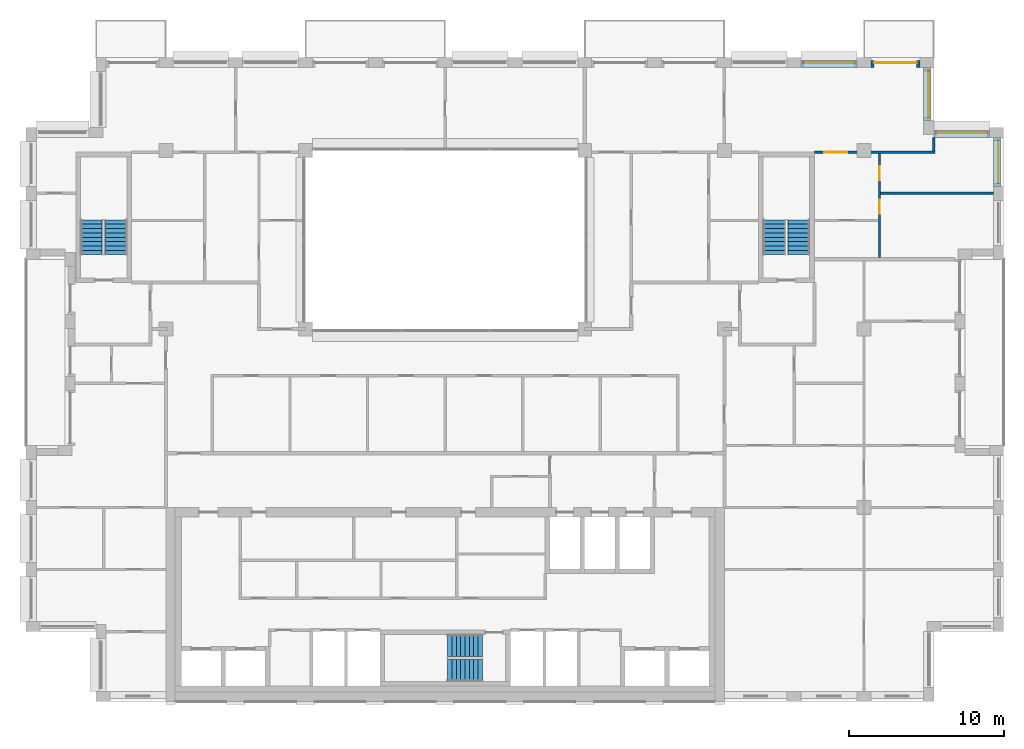
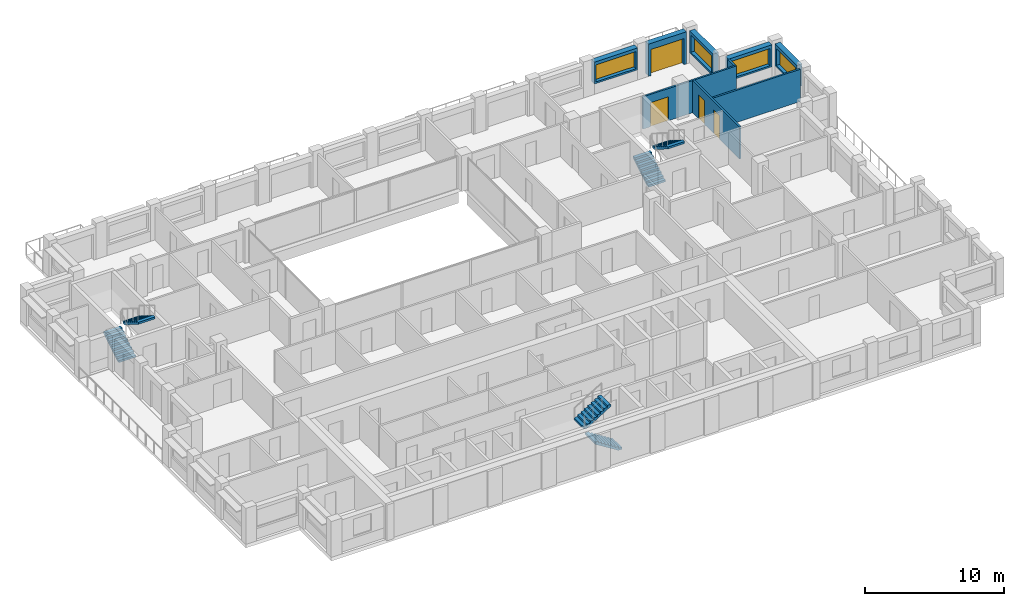
# One storey, part 14 of 15: 9 walls, 6 stair flights, 4 doors, 4 windows, 8 openings, 3 elements without a shape of their own.
"""IFC4 building model written with IfcOpenShell, lengths in metres."""

from ifc_helpers import new_model, si_unit, direction, frame, frame_2d, origin, place, context, subcontext, project, spatial, polyline, rectangle, outline, extrude, material, layer, layer_set, type_object, element, fill, aggregate, save


model = new_model("IFC4")

# Units and contexts
model_context = context("Model", 3, precision=1e-05, world=origin(), true_north=direction((0.0, 1.0)))
body_context = subcontext(model_context, "Body", "Model", "MODEL_VIEW")
ifc_project = project(units=[si_unit("LENGTHUNIT", "METRE"), si_unit("AREAUNIT", "SQUARE_METRE"), si_unit("VOLUMEUNIT", "CUBIC_METRE"), si_unit("PLANEANGLEUNIT", "RADIAN"), si_unit("MASSUNIT", "GRAM", prefix="KILO")], contexts=[model_context])

# Site, building, storey
site_placement = place(None, origin())
site = spatial("IfcSite", under=ifc_project, at=site_placement, CompositionType="ELEMENT")
building_placement = place(site_placement, origin())
building = spatial("IfcBuilding", under=site, at=building_placement, Name="Brigalow Station Residences", CompositionType="ELEMENT")
storey_placement = place(building_placement, frame((0.0, 0.0, 210.60009765625)))
storey = spatial("IfcBuildingStorey", under=building, at=storey_placement, Name="L60", CompositionType="ELEMENT", Elevation=210.60009765625)

# Wall, opening, window
ifc_material_1 = material(Name="Clay brick masonry", Category="masonry")
ifc_layer_1 = layer(ifc_material_1, 0.449951171875)
ifc_layer_set_1 = layer_set([ifc_layer_1], Name="BRICK INFILL WALL 450")
wall_type_1 = type_object("IfcWallType", Name="BRICK INFILL WALL 450", PredefinedType="SOLIDWALL", material=ifc_layer_set_1)
wall_1_placement = place(storey_placement, frame((71.574951171875, 33.199951171875, 0.89990234375), z_axis=(0.0, 0.0, 1.0), x_axis=(0.0, 1.0, 0.0)))
wall_1 = element("IfcWall", 1, at=wall_1_placement, inside=storey, type_object=wall_type_1, Name="L60/ewall/W-L60-17", PredefinedType="SOLIDWALL", context=body_context, shape_type="SweptSolid", body=[
    extrude(rectangle(XDim=3.150146484375, YDim=0.449951171875, at=frame_2d((1.5751953125, 0.0))), origin(), (0.0, 0.0, 1.0), 1.929931640625),
])
opening_1_placement = place(wall_1_placement, frame((0.199951171875, 0.0, 0.14990234375)))
opening_1 = element("IfcOpeningElement", 2, at=opening_1_placement, cuts=wall_1, Name="Opening WT-3", PredefinedType="OPENING", context=body_context, shape_type="SweptSolid", body=[
    extrude(rectangle(XDim=2.75, YDim=1.5, at=frame_2d((1.375, 0.75))), frame((0.0, 0.23486328125, 0.0), z_axis=(0.0, -1.0, 0.0), x_axis=(1.0, 0.0, 0.0)), (0.0, 0.0, 1.0), 0.469970703125),
])
ifc_material_2 = material(Name="Anodised aluminium frame with double glazing", Category="aluminium")
window_type_1 = type_object("IfcWindowType", Name="WINDOW 2750x1500", PartitioningType="SINGLE_PANEL", PredefinedType="WINDOW", material=ifc_material_2)
window_1_placement = place(opening_1_placement, origin())
window_1 = element("IfcWindow", 3, at=window_1_placement, inside=storey, type_object=window_type_1, Name="L60/window/W-L60-17", OverallHeight=1.5, OverallWidth=2.75, PartitioningType="SINGLE_PANEL", PredefinedType="WINDOW", context=body_context, shape_type="SweptSolid", body=[
    extrude(rectangle(XDim=2.75, YDim=1.5, at=frame_2d((1.375, 0.75))), frame((0.0, -0.06494140625, 0.0), z_axis=(0.0, -1.0, 0.0), x_axis=(1.0, 0.0, 0.0)), (0.0, 0.0, 1.0), 0.06005859375),
])
fill(opening_1, window_1)

wall_2_placement = place(storey_placement, frame((71.10009765625, 36.574951171875, 0.89990234375), z_axis=(0.0, 0.0, 1.0), x_axis=(-1.0, 0.0, 0.0)))
wall_2 = element("IfcWall", 4, at=wall_2_placement, inside=storey, type_object=wall_type_1, Name="L60/ewall/W-L60-18", PredefinedType="SOLIDWALL", context=body_context, shape_type="SweptSolid", body=[
    extrude(rectangle(XDim=3.60009765625, YDim=0.449951171875, at=frame_2d((1.800048828125, 0.0))), origin(), (0.0, 0.0, 1.0), 1.929931640625),
])
opening_2_placement = place(wall_2_placement, frame((0.14990234375, 0.0, 0.14990234375)))
opening_2 = element("IfcOpeningElement", 5, at=opening_2_placement, cuts=wall_2, Name="Opening WT-10", PredefinedType="OPENING", context=body_context, shape_type="SweptSolid", body=[
    extrude(rectangle(XDim=3.300048828125, YDim=1.5, at=frame_2d((1.64990234375, 0.75))), frame((0.0, 0.23486328125, 0.0), z_axis=(0.0, -1.0, 0.0), x_axis=(1.0, 0.0, 0.0)), (0.0, 0.0, 1.0), 0.469970703125),
])
ifc_material_3 = material(Name="Anodised aluminium frame with double glazing", Category="aluminium")
window_type_2 = type_object("IfcWindowType", Name="WINDOW 3300x1500", PartitioningType="SINGLE_PANEL", PredefinedType="WINDOW", material=ifc_material_3)
window_2_placement = place(opening_2_placement, origin())
window_2 = element("IfcWindow", 6, at=window_2_placement, inside=storey, type_object=window_type_2, Name="L60/window/W-L60-18", OverallHeight=1.5, OverallWidth=3.300048828125, PartitioningType="SINGLE_PANEL", PredefinedType="WINDOW", context=body_context, shape_type="SweptSolid", body=[
    extrude(rectangle(XDim=3.300048828125, YDim=1.5, at=frame_2d((1.64990234375, 0.75))), frame((0.0, -0.06494140625, 0.0), z_axis=(0.0, -1.0, 0.0), x_axis=(1.0, 0.0, 0.0)), (0.0, 0.0, 1.0), 0.06005859375),
])
fill(opening_2, window_2)

wall_3_placement = place(storey_placement, frame((67.074951171875, 37.449951171875, 0.89990234375), z_axis=(0.0, 0.0, 1.0), x_axis=(0.0, 1.0, 0.0)))
wall_3 = element("IfcWall", 7, at=wall_3_placement, inside=storey, type_object=wall_type_1, Name="L60/ewall/W-L60-19", PredefinedType="SOLIDWALL", context=body_context, shape_type="SweptSolid", body=[
    extrude(rectangle(XDim=3.400146484375, YDim=0.449951171875, at=frame_2d((1.7001953125, 0.0))), origin(), (0.0, 0.0, 1.0), 1.929931640625),
])
opening_3_placement = place(wall_3_placement, frame((0.199951171875, 0.0, 0.14990234375)))
opening_3 = element("IfcOpeningElement", 8, at=opening_3_placement, cuts=wall_3, Name="Opening WT-2", PredefinedType="OPENING", context=body_context, shape_type="SweptSolid", body=[
    extrude(rectangle(XDim=3.0, YDim=1.5, at=frame_2d((1.5, 0.75))), frame((0.0, 0.23486328125, 0.0), z_axis=(0.0, -1.0, 0.0), x_axis=(1.0, 0.0, 0.0)), (0.0, 0.0, 1.0), 0.469970703125),
])
ifc_material_4 = material(Name="Anodised aluminium frame with double glazing", Category="aluminium")
window_type_3 = type_object("IfcWindowType", Name="WINDOW 3000x1500", PartitioningType="SINGLE_PANEL", PredefinedType="WINDOW", material=ifc_material_4)
window_3_placement = place(opening_3_placement, origin())
window_3 = element("IfcWindow", 9, at=window_3_placement, inside=storey, type_object=window_type_3, Name="L60/window/W-L60-19", OverallHeight=1.5, OverallWidth=3.0, PartitioningType="SINGLE_PANEL", PredefinedType="WINDOW", context=body_context, shape_type="SweptSolid", body=[
    extrude(rectangle(XDim=3.0, YDim=1.5, at=frame_2d((1.5, 0.75))), frame((0.0, -0.06494140625, 0.0), z_axis=(0.0, -1.0, 0.0), x_axis=(1.0, 0.0, 0.0)), (0.0, 0.0, 1.0), 0.06005859375),
])
fill(opening_3, window_3)

# Wall, opening, door
wall_4_placement = place(storey_placement, frame((66.60009765625, 41.074951171875, 0.0), z_axis=(0.0, 0.0, 1.0), x_axis=(-1.0, 0.0, 0.0)))
wall_4 = element("IfcWall", 10, at=wall_4_placement, inside=storey, type_object=wall_type_1, Name="L60/ewall/W-L60-20", PredefinedType="SOLIDWALL", context=body_context, shape_type="SweptSolid", body=[
    extrude(rectangle(XDim=3.150146484375, YDim=0.449951171875, at=frame_2d((1.5751953125, 0.0))), origin(), (0.0, 0.0, 1.0), 2.829833984375),
])
opening_4_placement = place(wall_4_placement, frame((0.199951171875, 0.0, 0.0)))
opening_4 = element("IfcOpeningElement", 11, at=opening_4_placement, cuts=wall_4, Name="Opening D-B2750", PredefinedType="OPENING", context=body_context, shape_type="SweptSolid", body=[
    extrude(rectangle(XDim=2.75, YDim=2.300048828125, at=frame_2d((1.375, 1.14990234375))), frame((0.0, 0.23486328125, 0.0), z_axis=(0.0, -1.0, 0.0), x_axis=(1.0, 0.0, 0.0)), (0.0, 0.0, 1.0), 0.469970703125),
])
ifc_material_5 = material(Name="Anodised aluminium frame with double glazing", Category="aluminium")
door_type_1 = type_object("IfcDoorType", Name="BALCONY SLIDING DOOR 2750x2300", OperationType="SLIDING_TO_LEFT", PredefinedType="DOOR", material=ifc_material_5)
door_1_placement = place(opening_4_placement, origin())
door_1 = element("IfcDoor", 12, at=door_1_placement, inside=storey, type_object=door_type_1, Name="L60/balcony-door/W-L60-20", OperationType="SLIDING_TO_LEFT", OverallHeight=2.300048828125, OverallWidth=2.75, PredefinedType="DOOR", context=body_context, shape_type="SweptSolid", body=[
    extrude(rectangle(XDim=2.75, YDim=2.300048828125, at=frame_2d((1.375, 1.14990234375))), frame((0.0, -0.06982421875, 0.0), z_axis=(0.0, -1.0, 0.0), x_axis=(1.0, 0.0, 0.0)), (0.0, 0.0, 1.0), 0.050048828125),
])
fill(opening_4, door_1)

# Wall, opening, window
wall_5_placement = place(storey_placement, frame((62.550048828125, 41.074951171875, 0.89990234375), z_axis=(0.0, 0.0, 1.0), x_axis=(-1.0, 0.0, 0.0)))
wall_5 = element("IfcWall", 13, at=wall_5_placement, inside=storey, type_object=wall_type_1, Name="L60/ewall/W-L60-21", PredefinedType="SOLIDWALL", context=body_context, shape_type="SweptSolid", body=[
    extrude(rectangle(XDim=3.60009765625, YDim=0.449951171875, at=frame_2d((1.800048828125, 0.0))), origin(), (0.0, 0.0, 1.0), 1.929931640625),
])
opening_5_placement = place(wall_5_placement, frame((0.14990234375, 0.0, 0.14990234375)))
opening_5 = element("IfcOpeningElement", 14, at=opening_5_placement, cuts=wall_5, Name="Opening WT-10", PredefinedType="OPENING", context=body_context, shape_type="SweptSolid", body=[
    extrude(rectangle(XDim=3.300048828125, YDim=1.5, at=frame_2d((1.64990234375, 0.75))), frame((0.0, 0.23486328125, 0.0), z_axis=(0.0, -1.0, 0.0), x_axis=(1.0, 0.0, 0.0)), (0.0, 0.0, 1.0), 0.469970703125),
])
window_4_placement = place(opening_5_placement, origin())
window_4 = element("IfcWindow", 15, at=window_4_placement, inside=storey, type_object=window_type_2, Name="L60/window/W-L60-21", OverallHeight=1.5, OverallWidth=3.300048828125, PartitioningType="SINGLE_PANEL", PredefinedType="WINDOW", context=body_context, shape_type="SweptSolid", body=[
    extrude(rectangle(XDim=3.300048828125, YDim=1.5, at=frame_2d((1.64990234375, 0.75))), frame((0.0, -0.06494140625, 0.0), z_axis=(0.0, -1.0, 0.0), x_axis=(1.0, 0.0, 0.0)), (0.0, 0.0, 1.0), 0.06005859375),
])
fill(opening_5, window_4)

# Wall, opening, door
ifc_material_6 = material(Name="Plasterboard on steel stud partition", Category="steel")
ifc_layer_2 = layer(ifc_material_6, 0.14990234375)
ifc_layer_set_2 = layer_set([ifc_layer_2], Name="FLAT PARTITION 150")
wall_type_2 = type_object("IfcWallType", Name="FLAT PARTITION 150", PredefinedType="PARTITIONING", material=ifc_layer_set_2)
wall_6_placement = place(storey_placement, frame((59.800048828125, 35.39990234375, 0.0), z_axis=(0.0, 0.0, 1.0), x_axis=(1.0, 0.0, 0.0)))
wall_6 = element("IfcWall", 16, at=wall_6_placement, inside=storey, type_object=wall_type_2, Name="PW-4B21", PredefinedType="PARTITIONING", context=body_context, shape_type="SweptSolid", body=[
    extrude(rectangle(XDim=7.77490234375, YDim=0.14990234375, at=frame_2d((3.887451171875, 0.0))), origin(), (0.0, 0.0, 1.0), 2.829833984375),
])
opening_6_placement = place(wall_6_placement, frame((0.625, 0.0, 0.0)))
opening_6 = element("IfcOpeningElement", 17, at=opening_6_placement, cuts=wall_6, Name="Opening D-4B27", PredefinedType="OPENING", context=body_context, shape_type="SweptSolid", body=[
    extrude(rectangle(XDim=1.5, YDim=2.10009765625, at=frame_2d((0.75, 1.050048828125))), frame((0.0, 0.0849609375, 0.0), z_axis=(0.0, -1.0, 0.0), x_axis=(1.0, 0.0, 0.0)), (0.0, 0.0, 1.0), 0.169921875),
])
ifc_material_7 = material(Name="Solid-core timber door leaf", Category="wood")
door_type_2 = type_object("IfcDoorType", Name="INTERNAL DOUBLE DOOR 1500 x 2100", OperationType="DOUBLE_DOOR_SINGLE_SWING", PredefinedType="DOOR", material=ifc_material_7)
door_2_placement = place(opening_6_placement, origin())
door_2 = element("IfcDoor", 18, at=door_2_placement, inside=storey, type_object=door_type_2, Name="D-4B27", OperationType="DOUBLE_DOOR_SINGLE_SWING", OverallHeight=2.10009765625, OverallWidth=1.5, PredefinedType="DOOR", context=body_context, shape_type="SweptSolid", body=[
    extrude(rectangle(XDim=1.5, YDim=2.10009765625, at=frame_2d((0.75, 1.050048828125))), frame((0.0, 0.02490234375, 0.0), z_axis=(0.0, -1.0, 0.0), x_axis=(1.0, 0.0, 0.0)), (0.0, 0.0, 1.0), 0.050048828125),
])
fill(opening_6, door_2)

# Walls
wall_7_placement = place(storey_placement, frame((64.074951171875, 32.75, 0.0), z_axis=(0.0, 0.0, 1.0), x_axis=(1.0, 0.0, 0.0)))
element("IfcWall", 19, at=wall_7_placement, inside=storey, type_object=wall_type_2, Name="PW-4B23", PredefinedType="PARTITIONING", context=body_context, shape_type="SweptSolid", body=[
    extrude(rectangle(XDim=7.275146484375, YDim=0.14990234375, at=frame_2d((3.6376953125, 0.0))), origin(), (0.0, 0.0, 1.0), 2.829833984375),
])
wall_8_placement = place(storey_placement, frame((67.5, 35.47509765625, 0.0), z_axis=(0.0, 0.0, 1.0), x_axis=(0.0, 1.0, 0.0)))
element("IfcWall", 20, at=wall_8_placement, inside=storey, type_object=wall_type_2, Name="PW-4B45", PredefinedType="PARTITIONING", context=body_context, shape_type="SweptSolid", body=[
    extrude(rectangle(XDim=0.875, YDim=0.14990234375, at=frame_2d((0.4375, 0.0))), origin(), (0.0, 0.0, 1.0), 2.829833984375),
])

# Wall, openings, doors
wall_9_placement = place(storey_placement, frame((64.0, 28.60009765625, 0.0), z_axis=(0.0, 0.0, 1.0), x_axis=(0.0, 1.0, 0.0)))
wall_9 = element("IfcWall", 21, at=wall_9_placement, inside=storey, type_object=wall_type_2, Name="PW-4B46", PredefinedType="PARTITIONING", context=body_context, shape_type="SweptSolid", body=[
    extrude(rectangle(XDim=6.724853515625, YDim=0.14990234375, at=frame_2d((3.3623046875, 0.0))), origin(), (0.0, 0.0, 1.0), 2.829833984375),
])
opening_7_placement = place(wall_9_placement, frame((2.824951171875, 0.0, 0.0)))
opening_7 = element("IfcOpeningElement", 22, at=opening_7_placement, cuts=wall_9, Name="Opening D-4B28", PredefinedType="OPENING", context=body_context, shape_type="SweptSolid", body=[
    extrude(rectangle(XDim=0.89990234375, YDim=2.10009765625, at=frame_2d((0.449951171875, 1.050048828125))), frame((0.0, 0.0849609375, 0.0), z_axis=(0.0, -1.0, 0.0), x_axis=(1.0, 0.0, 0.0)), (0.0, 0.0, 1.0), 0.169921875),
])
opening_8_placement = place(wall_9_placement, frame((5.0, 0.0, 0.0)))
opening_8 = element("IfcOpeningElement", 23, at=opening_8_placement, cuts=wall_9, Name="Opening D-4B29", PredefinedType="OPENING", context=body_context, shape_type="SweptSolid", body=[
    extrude(rectangle(XDim=0.89990234375, YDim=2.10009765625, at=frame_2d((0.449951171875, 1.050048828125))), frame((0.0, 0.0849609375, 0.0), z_axis=(0.0, -1.0, 0.0), x_axis=(1.0, 0.0, 0.0)), (0.0, 0.0, 1.0), 0.169921875),
])
ifc_material_8 = material(Name="Solid-core timber door leaf", Category="wood")
door_type_3 = type_object("IfcDoorType", Name="INTERNAL DOOR 900 x 2100", OperationType="SINGLE_SWING_LEFT", PredefinedType="DOOR", material=ifc_material_8)
door_3_placement = place(opening_7_placement, frame((0.89990234375, 0.0, 0.0), z_axis=(0.0, 0.0, 1.0), x_axis=(-1.0, 0.0, 0.0)))
door_3 = element("IfcDoor", 24, at=door_3_placement, inside=storey, type_object=door_type_3, Name="D-4B28", OperationType="SINGLE_SWING_LEFT", OverallHeight=2.10009765625, OverallWidth=0.89990234375, PredefinedType="DOOR", context=body_context, shape_type="SweptSolid", body=[
    extrude(rectangle(XDim=0.89990234375, YDim=2.10009765625, at=frame_2d((0.449951171875, 1.050048828125))), frame((0.0, 0.02490234375, 0.0), z_axis=(0.0, -1.0, 0.0), x_axis=(1.0, 0.0, 0.0)), (0.0, 0.0, 1.0), 0.050048828125),
])
fill(opening_7, door_3)
door_4_placement = place(opening_8_placement, frame((0.89990234375, 0.0, 0.0), z_axis=(0.0, 0.0, 1.0), x_axis=(-1.0, 0.0, 0.0)))
door_4 = element("IfcDoor", 25, at=door_4_placement, inside=storey, type_object=door_type_3, Name="D-4B29", OperationType="SINGLE_SWING_RIGHT", OverallHeight=2.10009765625, OverallWidth=0.89990234375, PredefinedType="DOOR", context=body_context, shape_type="SweptSolid", body=[
    extrude(rectangle(XDim=0.89990234375, YDim=2.10009765625, at=frame_2d((0.449951171875, 1.050048828125))), frame((0.0, 0.02490234375, 0.0), z_axis=(0.0, -1.0, 0.0), x_axis=(1.0, 0.0, 0.0)), (0.0, 0.0, 1.0), 0.050048828125),
])
fill(opening_8, door_4)

# Stair, stair flights
ifc_material_9 = material(Name="Concrete C50", Category="concrete")
stair_type = type_object("IfcStairType", Name="EXIT STAIR 1400 2 FLIGHT", PredefinedType="HALF_TURN_STAIR", material=ifc_material_9)
stair_1_placement = place(storey_placement, origin())
stair_1 = element("IfcStair", 26, at=stair_1_placement, inside=storey, type_object=stair_type, Name="EXIT STAIR S2 L60", PredefinedType="HALF_TURN_STAIR")
ifc_material_10 = material(Name="Concrete C50", Category="concrete")
stair_flight_type = type_object("IfcStairFlightType", Name="STAIR FLIGHT 1400", PredefinedType="STRAIGHT", material=ifc_material_10)
stair_flight_1_placement = place(storey_placement, frame((38.39990234375, 2.0, 0.0), z_axis=(0.0, 0.0, 1.0), x_axis=(-1.0, 0.0, 0.0)))
stair_flight_1 = element("IfcStairFlight", 27, at=stair_flight_1_placement, type_object=stair_flight_type, Name="ST-2 flight 1", NumberOfRisers=9, NumberOfTreads=8, PredefinedType="STRAIGHT", RiserHeight=0.175, TreadLength=0.28, context=body_context, shape_type="SweptSolid", body=[
    extrude(outline(polyline([(0.0, 0.0), (0.0, 0.175048828125), (0.280029296875, 0.175048828125), (0.280029296875, 0.35009765625), (0.56005859375, 0.35009765625), (0.56005859375, 0.52490234375), (0.840087890625, 0.52490234375), (0.840087890625, 0.699951171875), (1.1201171875, 0.699951171875), (1.1201171875, 0.875), (1.39990234375, 0.875), (1.39990234375, 1.050048828125), (1.679931640625, 1.050048828125), (1.679931640625, 1.22509765625), (1.9599609375, 1.22509765625), (1.9599609375, 1.39990234375), (2.239990234375, 1.39990234375), (2.239990234375, 1.574951171875), (2.239990234375, 1.22314453125), (0.28271484375, 0.0), (0.0, 0.0)])), frame((0.0, 0.699951171875, 0.0), z_axis=(0.0, -1.0, 0.0), x_axis=(1.0, 0.0, 0.0)), (0.0, 0.0, 1.0), 1.39990234375),
])
stair_flight_2_placement = place(storey_placement, frame((36.159912109375, 3.60009765625, 1.574951171875), z_axis=(0.0, 0.0, 1.0), x_axis=(1.0, 0.0, 0.0)))
stair_flight_2 = element("IfcStairFlight", 28, at=stair_flight_2_placement, type_object=stair_flight_type, Name="ST-2 flight 2", NumberOfRisers=9, NumberOfTreads=8, PredefinedType="STRAIGHT", RiserHeight=0.175, TreadLength=0.28, context=body_context, shape_type="SweptSolid", body=[
    extrude(outline(polyline([(0.0, 0.0), (0.0, 0.175048828125), (0.280029296875, 0.175048828125), (0.280029296875, 0.35009765625), (0.56005859375, 0.35009765625), (0.56005859375, 0.52490234375), (0.840087890625, 0.52490234375), (0.840087890625, 0.699951171875), (1.1201171875, 0.699951171875), (1.1201171875, 0.875), (1.39990234375, 0.875), (1.39990234375, 1.050048828125), (1.679931640625, 1.050048828125), (1.679931640625, 1.22509765625), (1.9599609375, 1.22509765625), (1.9599609375, 1.39990234375), (2.239990234375, 1.39990234375), (2.239990234375, 1.574951171875), (2.239990234375, 1.22314453125), (0.28271484375, 0.0), (0.0, 0.0)])), frame((0.0, 0.699951171875, 0.0), z_axis=(0.0, -1.0, 0.0), x_axis=(1.0, 0.0, 0.0)), (0.0, 0.0, 1.0), 1.39990234375),
])
aggregate(stair_1, [stair_flight_1, stair_flight_2])

stair_2_placement = place(storey_placement, origin())
stair_2 = element("IfcStair", 29, at=stair_2_placement, inside=storey, type_object=stair_type, Name="EXIT STAIR S1 L60", PredefinedType="HALF_TURN_STAIR")
stair_flight_3_placement = place(storey_placement, frame((13.199951171875, 28.800048828125, 0.0), z_axis=(0.0, 0.0, 1.0), x_axis=(0.0, 1.0, 0.0)))
stair_flight_3 = element("IfcStairFlight", 30, at=stair_flight_3_placement, type_object=stair_flight_type, Name="ST-1 flight 1", NumberOfRisers=9, NumberOfTreads=8, PredefinedType="STRAIGHT", RiserHeight=0.175, TreadLength=0.28, context=body_context, shape_type="SweptSolid", body=[
    extrude(outline(polyline([(0.0, 0.0), (0.0, 0.175048828125), (0.280029296875, 0.175048828125), (0.280029296875, 0.35009765625), (0.56005859375, 0.35009765625), (0.56005859375, 0.52490234375), (0.840087890625, 0.52490234375), (0.840087890625, 0.699951171875), (1.1201171875, 0.699951171875), (1.1201171875, 0.875), (1.39990234375, 0.875), (1.39990234375, 1.050048828125), (1.679931640625, 1.050048828125), (1.679931640625, 1.22509765625), (1.9599609375, 1.22509765625), (1.9599609375, 1.39990234375), (2.239990234375, 1.39990234375), (2.239990234375, 1.574951171875), (2.239990234375, 1.22314453125), (0.28271484375, 0.0), (0.0, 0.0)])), frame((0.0, 0.699951171875, 0.0), z_axis=(0.0, -1.0, 0.0), x_axis=(1.0, 0.0, 0.0)), (0.0, 0.0, 1.0), 1.39990234375),
])
stair_flight_4_placement = place(storey_placement, frame((14.800048828125, 31.0400390625, 1.574951171875), z_axis=(0.0, 0.0, 1.0), x_axis=(0.0, -1.0, 0.0)))
stair_flight_4 = element("IfcStairFlight", 31, at=stair_flight_4_placement, type_object=stair_flight_type, Name="ST-1 flight 2", NumberOfRisers=9, NumberOfTreads=8, PredefinedType="STRAIGHT", RiserHeight=0.175, TreadLength=0.28, context=body_context, shape_type="SweptSolid", body=[
    extrude(outline(polyline([(0.0, 0.0), (0.0, 0.175048828125), (0.280029296875, 0.175048828125), (0.280029296875, 0.35009765625), (0.56005859375, 0.35009765625), (0.56005859375, 0.52490234375), (0.840087890625, 0.52490234375), (0.840087890625, 0.699951171875), (1.1201171875, 0.699951171875), (1.1201171875, 0.875), (1.39990234375, 0.875), (1.39990234375, 1.050048828125), (1.679931640625, 1.050048828125), (1.679931640625, 1.22509765625), (1.9599609375, 1.22509765625), (1.9599609375, 1.39990234375), (2.239990234375, 1.39990234375), (2.239990234375, 1.574951171875), (2.239990234375, 1.22314453125), (0.28271484375, 0.0), (0.0, 0.0)])), frame((0.0, 0.699951171875, 0.0), z_axis=(0.0, -1.0, 0.0), x_axis=(1.0, 0.0, 0.0)), (0.0, 0.0, 1.0), 1.39990234375),
])
aggregate(stair_2, [stair_flight_3, stair_flight_4])

stair_3_placement = place(storey_placement, origin())
stair_3 = element("IfcStair", 32, at=stair_3_placement, inside=storey, type_object=stair_type, Name="EXIT STAIR S3 L60", PredefinedType="HALF_TURN_STAIR")
stair_flight_5_placement = place(storey_placement, frame((57.199951171875, 28.800048828125, 0.0), z_axis=(0.0, 0.0, 1.0), x_axis=(0.0, 1.0, 0.0)))
stair_flight_5 = element("IfcStairFlight", 33, at=stair_flight_5_placement, type_object=stair_flight_type, Name="ST-3 flight 1", NumberOfRisers=9, NumberOfTreads=8, PredefinedType="STRAIGHT", RiserHeight=0.175, TreadLength=0.28, context=body_context, shape_type="SweptSolid", body=[
    extrude(outline(polyline([(0.0, 0.0), (0.0, 0.175048828125), (0.280029296875, 0.175048828125), (0.280029296875, 0.35009765625), (0.56005859375, 0.35009765625), (0.56005859375, 0.52490234375), (0.840087890625, 0.52490234375), (0.840087890625, 0.699951171875), (1.1201171875, 0.699951171875), (1.1201171875, 0.875), (1.39990234375, 0.875), (1.39990234375, 1.050048828125), (1.679931640625, 1.050048828125), (1.679931640625, 1.22509765625), (1.9599609375, 1.22509765625), (1.9599609375, 1.39990234375), (2.239990234375, 1.39990234375), (2.239990234375, 1.574951171875), (2.239990234375, 1.22314453125), (0.28271484375, 0.0), (0.0, 0.0)])), frame((0.0, 0.699951171875, 0.0), z_axis=(0.0, -1.0, 0.0), x_axis=(1.0, 0.0, 0.0)), (0.0, 0.0, 1.0), 1.39990234375),
])
stair_flight_6_placement = place(storey_placement, frame((58.800048828125, 31.0400390625, 1.574951171875), z_axis=(0.0, 0.0, 1.0), x_axis=(0.0, -1.0, 0.0)))
stair_flight_6 = element("IfcStairFlight", 34, at=stair_flight_6_placement, type_object=stair_flight_type, Name="ST-3 flight 2", NumberOfRisers=9, NumberOfTreads=8, PredefinedType="STRAIGHT", RiserHeight=0.175, TreadLength=0.28, context=body_context, shape_type="SweptSolid", body=[
    extrude(outline(polyline([(0.0, 0.0), (0.0, 0.175048828125), (0.280029296875, 0.175048828125), (0.280029296875, 0.35009765625), (0.56005859375, 0.35009765625), (0.56005859375, 0.52490234375), (0.840087890625, 0.52490234375), (0.840087890625, 0.699951171875), (1.1201171875, 0.699951171875), (1.1201171875, 0.875), (1.39990234375, 0.875), (1.39990234375, 1.050048828125), (1.679931640625, 1.050048828125), (1.679931640625, 1.22509765625), (1.9599609375, 1.22509765625), (1.9599609375, 1.39990234375), (2.239990234375, 1.39990234375), (2.239990234375, 1.574951171875), (2.239990234375, 1.22314453125), (0.28271484375, 0.0), (0.0, 0.0)])), frame((0.0, 0.699951171875, 0.0), z_axis=(0.0, -1.0, 0.0), x_axis=(1.0, 0.0, 0.0)), (0.0, 0.0, 1.0), 1.39990234375),
])
aggregate(stair_3, [stair_flight_5, stair_flight_6])

save(model, "model.ifc")
